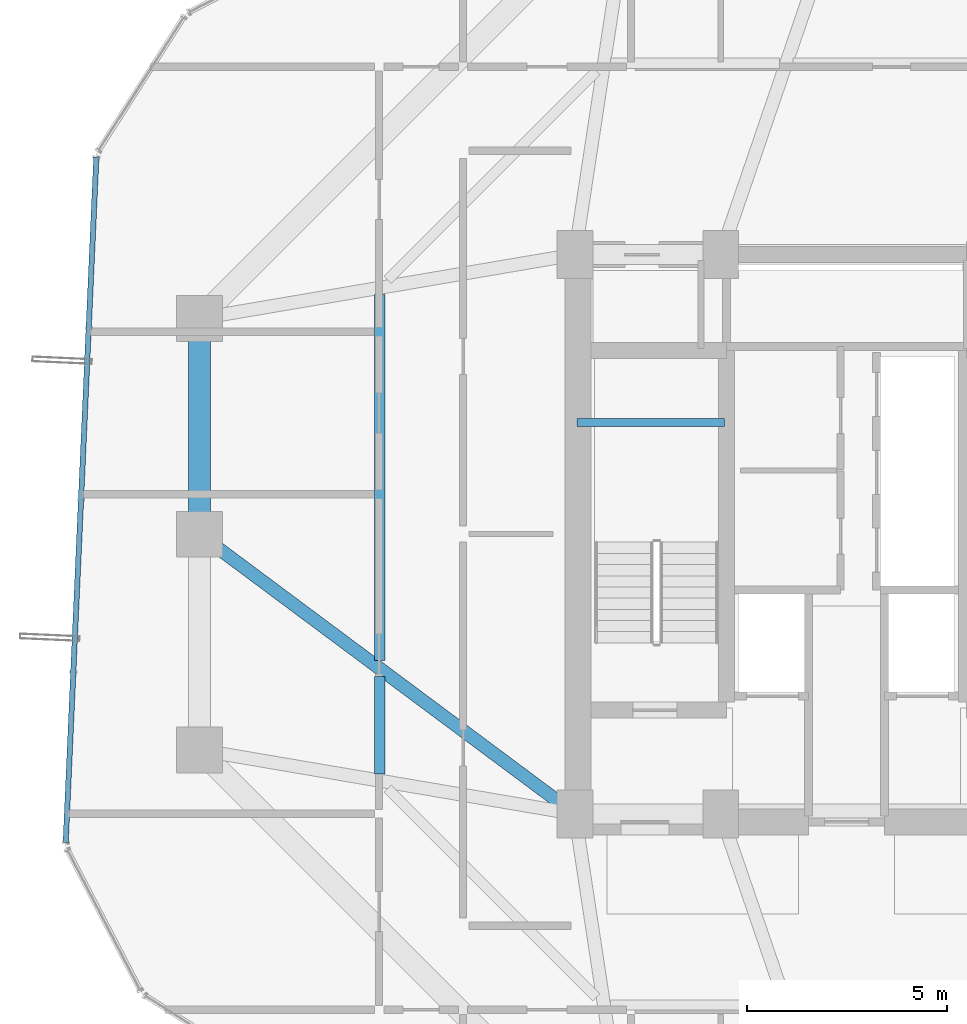
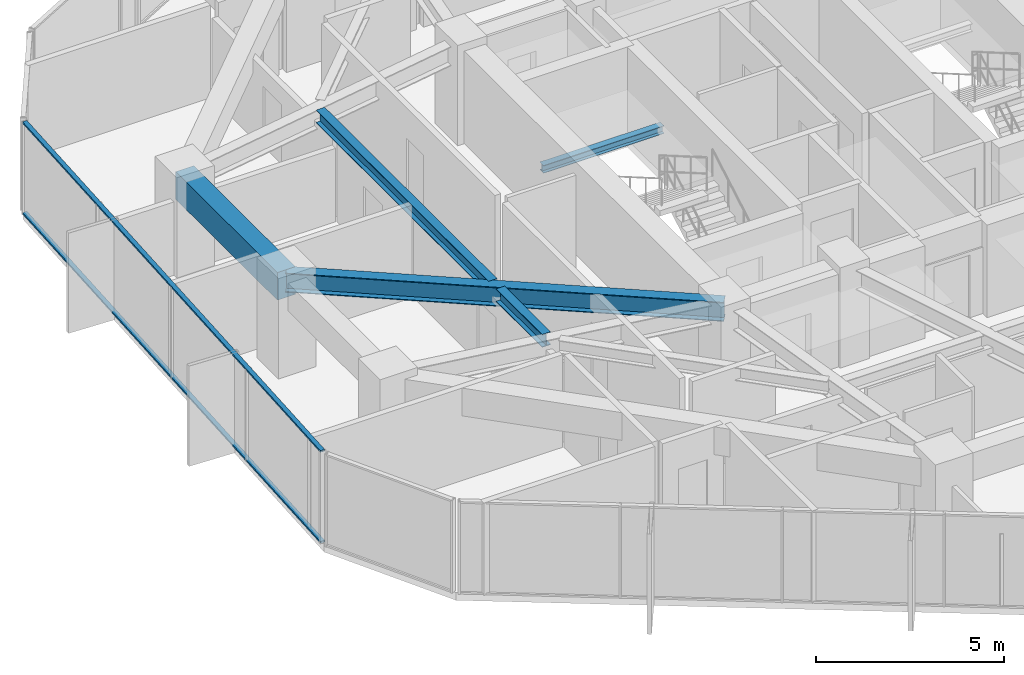
# One storey, part 9 of 30: 5 beams, 2 members, 1 element without a shape of its own.
"""IFC4 building model written with IfcOpenShell, lengths in metres."""

from ifc_helpers import new_model, si_unit, direction, frame, origin, origin_2d, place, context, subcontext, project, spatial, rectangle, hollow_rectangle, i_section, extrude, source, transform, mapped, material, layer, layer_set, material_profile, profile_set, type_object, element, aggregate, save


model = new_model("IFC4")

# Units and contexts
model_context = context("Model", 3, precision=1e-05, world=origin(), true_north=direction((0.0, 1.0)))
body_context = subcontext(model_context, "Body", "Model", "MODEL_VIEW")
ifc_project = project(units=[si_unit("LENGTHUNIT", "METRE"), si_unit("AREAUNIT", "SQUARE_METRE"), si_unit("VOLUMEUNIT", "CUBIC_METRE"), si_unit("PLANEANGLEUNIT", "RADIAN"), si_unit("MASSUNIT", "GRAM", prefix="KILO")], contexts=[model_context])

# Site, building, storey
site_placement = place(None, origin())
site = spatial("IfcSite", under=ifc_project, at=site_placement, CompositionType="ELEMENT")
building_placement = place(site_placement, origin())
building = spatial("IfcBuilding", under=site, at=building_placement, Name="Veraguas Prism Commons", CompositionType="ELEMENT")
storey_placement = place(building_placement, frame((0.0, 0.0, 119.75)))
storey = spatial("IfcBuildingStorey", under=building, at=storey_placement, Name="L33", CompositionType="ELEMENT", Elevation=119.75)

# Beams
ifc_material_1 = material(Name="Steel ASTM A992 Grade 50", Category="steel")
ifc_material_profile_1 = material_profile(ifc_material_1, i_section(OverallWidth=0.260986328125, OverallDepth=0.419921875, WebThickness=0.01171875, FlangeThickness=0.019287109375, at=origin_2d()), Name="W410X114")
ifc_profile_set_1 = profile_set([ifc_material_profile_1], Name="Steel ASTM A992 Grade 50")
beam_type_1 = type_object("IfcBeamType", Name="Lower Floor Joist W410x114", PredefinedType="JOIST", material=ifc_profile_set_1)
beam_1_placement = place(storey_placement, frame((12.31201171875, 30.003662109375, 2.7900390625), z_axis=(0.0, -1.0, 0.0), x_axis=(1.0, 0.0, 0.0)))
element("IfcBeam", 1, at=beam_1_placement, inside=storey, type_object=beam_type_1, Name="Composite Floor Joist L33-JS07", PredefinedType="JOIST", context=body_context, shape_type="SweptSolid", body=[
    extrude(i_section(OverallWidth=0.260986328125, OverallDepth=0.419921875, WebThickness=0.01171875, FlangeThickness=0.019287109375, at=origin_2d()), origin(), (0.0, 0.0, 1.0), 9.16162109375),
])
beam_2_placement = place(storey_placement, frame((12.31201171875, 20.43798828125, 2.7900390625), z_axis=(0.0, -1.0, 0.0), x_axis=(1.0, 0.0, 0.0)))
element("IfcBeam", 2, at=beam_2_placement, inside=storey, type_object=beam_type_1, Name="Composite Floor Joist L33-JS08", PredefinedType="JOIST", context=body_context, shape_type="SweptSolid", body=[
    extrude(i_section(OverallWidth=0.260986328125, OverallDepth=0.419921875, WebThickness=0.01171875, FlangeThickness=0.019287109375, at=origin_2d()), origin(), (0.0, 0.0, 1.0), 2.441650390625),
])
ifc_material_2 = material(Name="Concrete C50/60", Category="concrete")
ifc_material_profile_2 = material_profile(ifc_material_2, rectangle(XDim=0.550048828125, YDim=0.89990234375, at=origin_2d()), Name="RC550X900")
ifc_profile_set_2 = profile_set([ifc_material_profile_2], Name="Concrete C50/60")
beam_type_2 = type_object("IfcBeamType", Name="Perimeter Spandrel Lower RC 550x900", PredefinedType="SPANDREL", material=ifc_profile_set_2)
beam_3_placement = place(storey_placement, frame((7.800048828125, 29.39990234375, 2.550048828125), z_axis=(0.0, -1.0, 0.0), x_axis=(1.0, 0.0, 0.0)))
element("IfcBeam", 3, at=beam_3_placement, inside=storey, type_object=beam_type_2, Name="Perimeter Spandrel Beam L33-SP07", PredefinedType="SPANDREL", context=body_context, shape_type="SweptSolid", body=[
    extrude(rectangle(XDim=0.550048828125, YDim=0.89990234375, at=origin_2d()), origin(), (0.0, 0.0, 1.0), 5.39990234375),
])
ifc_material_profile_3 = material_profile(ifc_material_1, i_section(OverallWidth=0.202880859375, OverallDepth=0.251953125, WebThickness=0.008056640625, FlangeThickness=0.013427734375, at=origin_2d()), Name="W250X58")
ifc_profile_set_3 = profile_set([ifc_material_profile_3], Name="Steel ASTM A992 Grade 50")
beam_type_3 = type_object("IfcBeamType", Name="Structural Opening Lintel W250x58", PredefinedType="LINTEL", material=ifc_profile_set_3)
beam_4_placement = place(storey_placement, frame((17.25, 26.800048828125, 1.299072265625), z_axis=(1.0, 0.0, 0.0), x_axis=(0.0, 1.0, 0.0)))
element("IfcBeam", 4, at=beam_4_placement, inside=storey, type_object=beam_type_3, Name="Stair ST-01 Half-Landing Support Beam L33-1", PredefinedType="LINTEL", context=body_context, shape_type="SweptSolid", body=[
    extrude(i_section(OverallWidth=0.202880859375, OverallDepth=0.251953125, WebThickness=0.008056640625, FlangeThickness=0.013427734375, at=origin_2d()), origin(), (0.0, 0.0, 1.0), 3.699951171875),
])
ifc_material_profile_4 = material_profile(ifc_material_1, i_section(OverallWidth=0.327880859375, OverallDepth=0.6220703125, WebThickness=0.015380859375, FlangeThickness=0.0244140625, at=origin_2d()), Name="W610X195")
ifc_profile_set_4 = profile_set([ifc_material_profile_4], Name="Steel ASTM A992 Grade 50")
beam_type_4 = type_object("IfcBeamType", Name="Zone 2 Radial Girder W610x195", PredefinedType="BEAM", material=ifc_profile_set_4)
beam_5_placement = place(storey_placement, frame((7.800048828125, 24.0, 2.68896484375), z_axis=(0.802040137921, -0.597270137512, 0.0), x_axis=(0.597270137512, 0.802040137921, 0.0)))
element("IfcBeam", 5, at=beam_5_placement, inside=storey, type_object=beam_type_4, Name="Radial Floor Girder L33-RD08", PredefinedType="BEAM", context=body_context, shape_type="SweptSolid", body=[
    extrude(i_section(OverallWidth=0.327880859375, OverallDepth=0.6220703125, WebThickness=0.015380859375, FlangeThickness=0.0244140625, at=origin_2d()), origin(), (0.0, 0.0, 1.0), 11.719970703125),
])

# Curtain wall, members
ifc_material_3 = material(Name="Anodised aluminium EN AW-6063 T6", Category="aluminium")
ifc_layer = layer(ifc_material_3, 0.169921875, Name="Unitised Flush Curtain Wall Zone 2", Category="aluminium")
ifc_layer_set = layer_set([ifc_layer], Name="Anodised aluminium EN AW-6063 T6")
curtain_wall_type = type_object("IfcCurtainWallType", Name="Unitised Flush Curtain Wall Zone 2", PredefinedType="NOTDEFINED", material=ifc_layer_set)
curtain_wall_placement = place(storey_placement, origin())
curtain_wall = element("IfcCurtainWall", 6, at=curtain_wall_placement, inside=storey, type_object=curtain_wall_type, Name="Tower Facade Curtain Wall L33-F3", PredefinedType="NOTDEFINED")
ifc_material_profile_5 = material_profile(ifc_material_3, hollow_rectangle(XDim=0.054931640625, YDim=0.135009765625, WallThickness=0.0029296875, at=origin_2d()), Name="AL55X135X3")
ifc_profile_set_5 = profile_set([ifc_material_profile_5], Name="Anodised aluminium EN AW-6063 T6")
member_type = type_object("IfcMemberType", Name="Curtain Wall Transom Standard AL 55x135x3", PredefinedType="USERDEFINED", material=ifc_profile_set_5)
shared_shape = source(origin(), body_context, "Body", "SweptSolid", [
    extrude(hollow_rectangle(XDim=0.054931640625, YDim=0.135009765625, WallThickness=0.0029296875, at=origin_2d()), origin(), (0.0, 0.0, 1.0), 17.174560546875),
])
member_1_placement = place(storey_placement, frame((5.22021484375, 33.435546875, 0.027587890625), z_axis=(-0.044664178396, -0.99900205764, 0.0), x_axis=(0.0, 0.0, 1.0)))
member_1 = element("IfcMember", 7, at=member_1_placement, type_object=member_type, Name="CW-Z2 Transom 1", ObjectType="TRANSOM", PredefinedType="USERDEFINED", context=body_context, shape_type="MappedRepresentation", body=[
    mapped(shared_shape, transform((0.0, 0.0, 0.0), scale=1.0)),
])
member_2_placement = place(storey_placement, frame((5.22021484375, 33.435546875, 2.972412109375), z_axis=(-0.044664178396, -0.99900205764, 0.0), x_axis=(0.0, 0.0, 1.0)))
member_2 = element("IfcMember", 8, at=member_2_placement, type_object=member_type, Name="CW-Z2 Transom 2", ObjectType="TRANSOM", PredefinedType="USERDEFINED", context=body_context, shape_type="MappedRepresentation", body=[
    mapped(shared_shape, transform((0.0, 0.0, 0.0), scale=1.0)),
])
aggregate(curtain_wall, [member_1, member_2])

save(model, "model.ifc")
